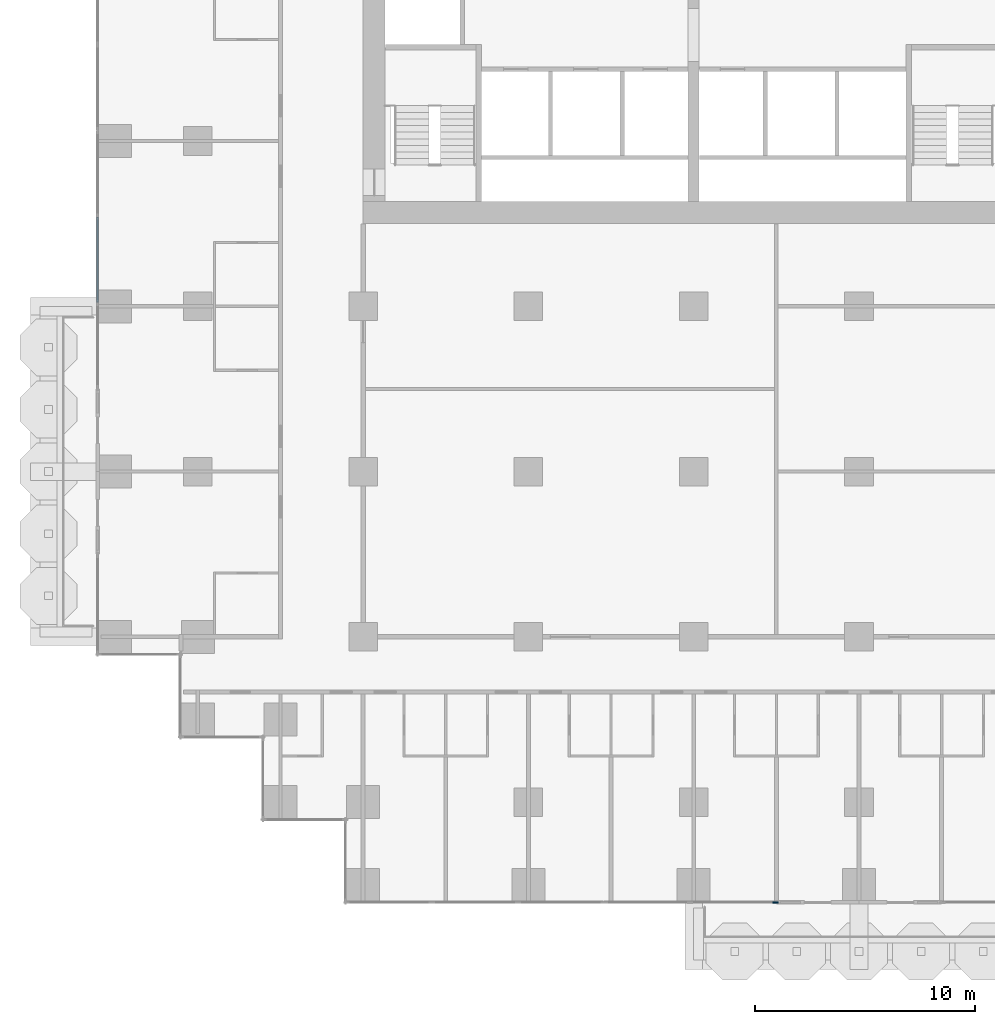
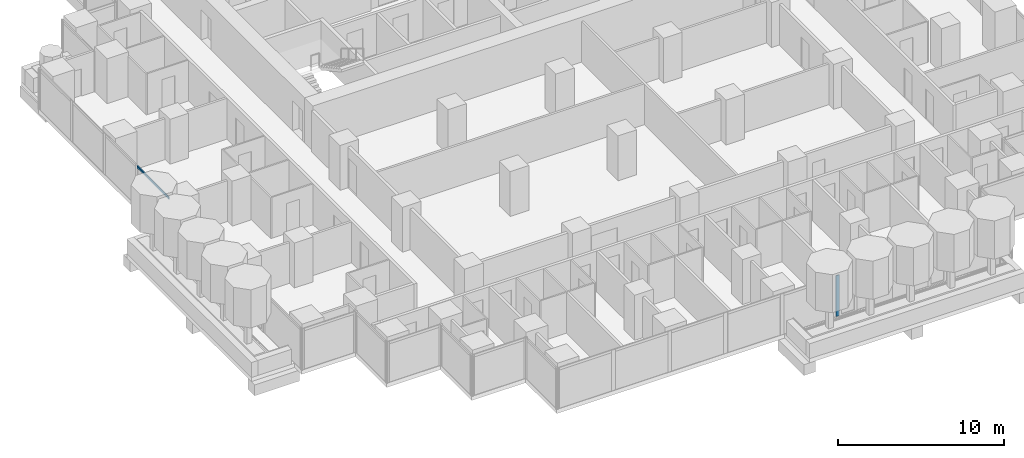
# One storey, part 3 of 19: 2 members, 2 elements without a shape of their own.
"""IFC4 building model written with IfcOpenShell, lengths in metres."""

from ifc_helpers import new_model, si_unit, direction, frame, origin, origin_2d, place, context, subcontext, project, spatial, rectangle, extrude, material, material_profile, profile_set, type_object, element, aggregate, save


model = new_model("IFC4")

# Units and contexts
model_context = context("Model", 3, precision=1e-05, world=origin(), true_north=direction((0.0, 1.0)))
body_context = subcontext(model_context, "Body", "Model", "MODEL_VIEW")
ifc_project = project(units=[si_unit("LENGTHUNIT", "METRE"), si_unit("AREAUNIT", "SQUARE_METRE"), si_unit("VOLUMEUNIT", "CUBIC_METRE"), si_unit("PLANEANGLEUNIT", "RADIAN"), si_unit("MASSUNIT", "GRAM", prefix="KILO")], contexts=[model_context])

# Site, building, storey
site_placement = place(None, origin())
site = spatial("IfcSite", under=ifc_project, at=site_placement, CompositionType="ELEMENT")
building_placement = place(site_placement, origin())
building = spatial("IfcBuilding", under=site, at=building_placement, Name="Pilkhan Gate Tower", CompositionType="ELEMENT")
storey_placement = place(building_placement, frame((0.0, 0.0, 72.5)))
storey = spatial("IfcBuildingStorey", under=building, at=storey_placement, Name="L16", CompositionType="ELEMENT", Elevation=72.5)

# Curtain wall, member
ifc_material_1 = material(Name="Pale anodised aluminium, clear low-iron double glazing", Category="aluminium")
curtain_wall_type = type_object("IfcCurtainWallType", Name="Hotel unitised curtain wall CW-H", PredefinedType="USERDEFINED", material=ifc_material_1)
curtain_wall_1_placement = place(storey_placement, origin())
curtain_wall_1 = element("IfcCurtainWall", 1, at=curtain_wall_1_placement, inside=storey, type_object=curtain_wall_type, Name="Hotel unitised curtain wall CW-H L16 S", ObjectType="UNITISED CURTAIN WALL", PredefinedType="USERDEFINED")
ifc_material_2 = material(Name="Pale anodised aluminium", Category="aluminium")
ifc_material_profile_1 = material_profile(ifc_material_2, rectangle(XDim=0.06494140625, YDim=0.25, at=origin_2d()), Name="Mullion 250x65")
ifc_profile_set_1 = profile_set([ifc_material_profile_1], Name="Pale anodised aluminium")
member_type_1 = type_object("IfcMemberType", Name="Mullion CW-H 250x65", PredefinedType="MULLION", material=ifc_profile_set_1)
member_1_placement = place(storey_placement, frame((78.717529296875, 40.455078125, 0.0), z_axis=(0.0, 0.0, 1.0), x_axis=(0.0, 1.0, 0.0)))
member_1 = element("IfcMember", 2, at=member_1_placement, type_object=member_type_1, Name="CW-H mullion 3", PredefinedType="MULLION", context=body_context, shape_type="SweptSolid", body=[
    extrude(rectangle(XDim=0.06494140625, YDim=0.25, at=origin_2d()), origin(), (0.0, 0.0, 1.0), 3.0),
])
aggregate(curtain_wall_1, [member_1])

curtain_wall_2_placement = place(storey_placement, origin())
curtain_wall_2 = element("IfcCurtainWall", 3, at=curtain_wall_2_placement, inside=storey, type_object=curtain_wall_type, Name="Hotel unitised curtain wall CW-H L16 W", ObjectType="UNITISED CURTAIN WALL", PredefinedType="USERDEFINED")
ifc_material_profile_2 = material_profile(ifc_material_2, rectangle(XDim=0.06494140625, YDim=0.179931640625, at=origin_2d()), Name="Transom 180x65")
ifc_profile_set_2 = profile_set([ifc_material_profile_2], Name="Pale anodised aluminium")
member_type_2 = type_object("IfcMemberType", Name="Transom CW-H 180x65", PredefinedType="USERDEFINED", material=ifc_profile_set_2)
member_2_placement = place(storey_placement, frame((47.955078125, 67.69140625, 2.909912109375), z_axis=(0.0, 1.0, 0.0), x_axis=(-1.0, 0.0, 0.0)))
member_2 = element("IfcMember", 4, at=member_2_placement, type_object=member_type_2, Name="CW-H transom 2", ObjectType="TRANSOM", PredefinedType="USERDEFINED", context=body_context, shape_type="SweptSolid", body=[
    extrude(rectangle(XDim=0.06494140625, YDim=0.179931640625, at=origin_2d()), origin(), (0.0, 0.0, 1.0), 3.843994140625),
])
aggregate(curtain_wall_2, [member_2])

save(model, "model.ifc")
